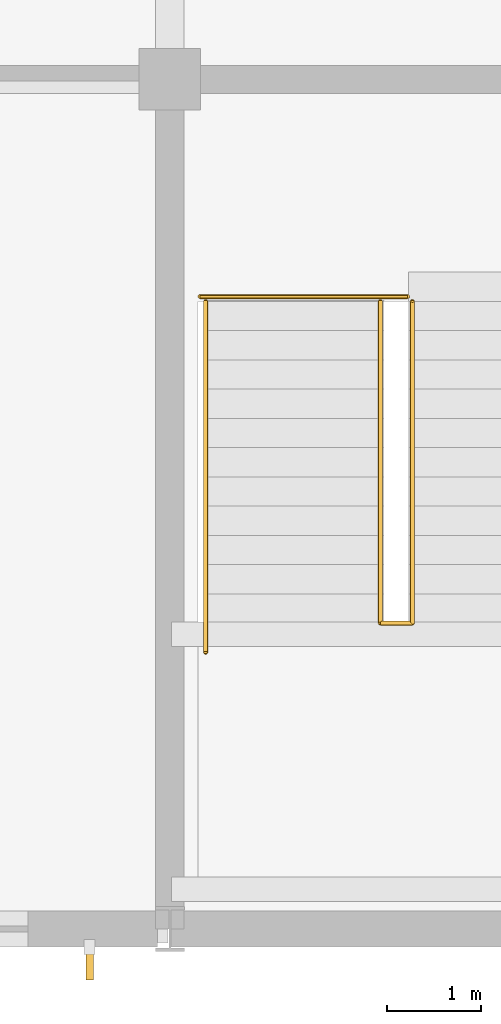
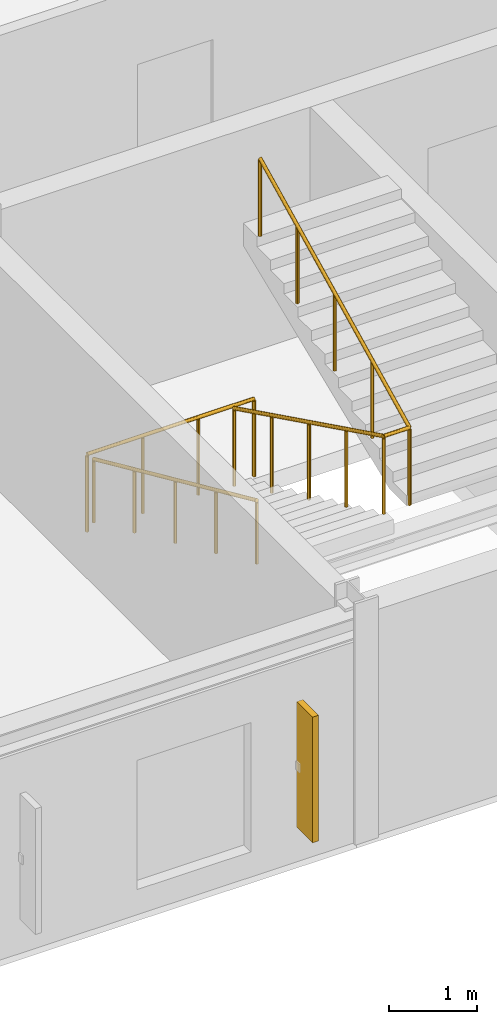
# One storey, part 87 of 91: 3 railings, 1 shading device.
"""IFC4 building model written with IfcOpenShell, lengths in metres."""

import ifcopenshell
import ifcopenshell.guid

model = None  # the IFC model being written
_history = None  # IfcOwnerHistory: only IFC2X3 demands one
_inside = {}  # id of a spatial element -> (the spatial element, [elements in it])
_under = {}  # id of a project, library or spatial element -> (it, [spatial elements below it])
_declared = {}  # id of a project -> (the project, [libraries it declares])
_typed = {}  # id of a type object -> (the type object, [elements of that type])
_made_of = {}  # id of a material, layer set ... -> (it, [elements and type objects made of it])


def new_model(schema):
    """Start an empty IFC model of exactly this schema.

    Asked for "IFC4X3", IfcOpenShell would pick the latest addendum, in which some entities
    have other attributes; the version numbers below select the first issue.
    IFC2X3 requires an IfcOwnerHistory on every rooted entity: one is made here for all.
    """
    global model, _history
    if schema == "IFC4X3":
        model = ifcopenshell.file(schema_version=(4, 3, 0, 0))
    else:
        model = ifcopenshell.file(schema=schema)
    _inside.clear()
    _under.clear()
    _declared.clear()
    _typed.clear()
    _made_of.clear()
    _history = None
    if model.schema == "IFC2X3":
        org = make("IfcOrganization", Name="unknown")
        user = make(
            "IfcPersonAndOrganization",
            ThePerson=make("IfcPerson", FamilyName="unknown"),
            TheOrganization=org,
        )
        app = make(
            "IfcApplication",
            ApplicationDeveloper=org,
            Version="unknown",
            ApplicationFullName="unknown",
            ApplicationIdentifier="unknown",
        )
        _history = make(
            "IfcOwnerHistory",
            OwningUser=user,
            OwningApplication=app,
            ChangeAction="ADDED",
            CreationDate=0,
        )
    return model


def make(cls, **values):
    """One entity of the class cls with the attributes given. An attribute that is None is left unset."""
    return model.create_entity(
        cls, **{name: value for name, value in values.items() if value is not None}
    )


def rooted(cls, **values):
    """An entity with a GlobalId (a new one), such as an element, a storey or a relation."""
    return make(cls, GlobalId=ifcopenshell.guid.new(), OwnerHistory=_history, **values)


def si_unit(unit_type, name, prefix=None):
    """IfcSIUnit, for example si_unit("LENGTHUNIT", "METRE", prefix="MILLI")."""
    return make("IfcSIUnit", UnitType=unit_type, Prefix=prefix, Name=name)


def assignment(units):
    """IfcUnitAssignment: the units of a project."""
    return None if units is None else make("IfcUnitAssignment", Units=units)


def point(xyz):
    """IfcCartesianPoint."""
    return None if xyz is None else make("IfcCartesianPoint", Coordinates=xyz)


def direction(xyz):
    """IfcDirection."""
    return None if xyz is None else make("IfcDirection", DirectionRatios=xyz)


def frame(location, z_axis=None, x_axis=None):
    """IfcAxis2Placement3D, a coordinate frame: its origin and axes. An axis left out is left unset."""
    return make(
        "IfcAxis2Placement3D",
        Location=point(location),
        Axis=direction(z_axis),
        RefDirection=direction(x_axis),
    )


def frame_2d(location, x_axis=None):
    """IfcAxis2Placement2D, a coordinate frame in the plane: its origin and x axis."""
    return make(
        "IfcAxis2Placement2D", Location=point(location), RefDirection=direction(x_axis)
    )


def origin():
    """The frame at (0, 0, 0) with its axes left unset."""
    return frame((0.0, 0.0, 0.0))


def origin_2d():
    """The frame at (0, 0) in the plane with its x axis left unset."""
    return frame_2d((0.0, 0.0))


def place(relative_to, where):
    """IfcLocalPlacement: puts the frame where relative to a parent placement (None: the world)."""
    return make(
        "IfcLocalPlacement", PlacementRelTo=relative_to, RelativePlacement=where
    )


def context(
    kind, dimensions, precision=None, world=None, true_north=None, identifier=None
):
    """IfcGeometricRepresentationContext, for example the 3D "Model" context."""
    return make(
        "IfcGeometricRepresentationContext",
        ContextIdentifier=identifier,
        ContextType=kind,
        CoordinateSpaceDimension=dimensions,
        Precision=precision,
        WorldCoordinateSystem=world,
        TrueNorth=true_north,
    )


def subcontext(parent, identifier, kind, view, scale=None):
    """IfcGeometricRepresentationSubContext, for example "Body" below "Model"."""
    return make(
        "IfcGeometricRepresentationSubContext",
        ContextIdentifier=identifier,
        ContextType=kind,
        ParentContext=parent,
        TargetScale=scale,
        TargetView=view,
    )


def project(units=None, contexts=None):
    """IfcProject with its units and contexts."""
    return rooted(
        "IfcProject",
        Name="project",
        RepresentationContexts=contexts,
        UnitsInContext=assignment(units),
    )


def spatial(cls, under=None, at=None, **own):
    """A site, building, storey or space (cls), placed at a placement, below another one or the project."""
    s = rooted(cls, ObjectPlacement=at, **own)
    if under is not None:
        _under.setdefault(under.id(), (under, []))[1].append(s)
    return s


def profile(cls, at=None, kind="AREA", **sizes):
    """A parametric profile (cls). Its sizes go by their IFC names, for example OverallWidth=200.0."""
    return make(cls, ProfileType=kind, Position=at, **sizes)


def rectangle(**sizes):
    """IfcRectangleProfileDef."""
    return profile("IfcRectangleProfileDef", **sizes)


def circle(**sizes):
    """IfcCircleProfileDef."""
    return profile("IfcCircleProfileDef", **sizes)


def extrude(swept, where, along, depth):
    """IfcExtrudedAreaSolid: the profile swept, set in the frame where, extruded along a direction by depth."""
    return make(
        "IfcExtrudedAreaSolid",
        SweptArea=swept,
        Position=where,
        ExtrudedDirection=direction(along),
        Depth=depth,
    )


def shape(context_of_items, identifier, shape_type, items):
    """IfcShapeRepresentation: the items that make up one representation, for example the "Body"."""
    return make(
        "IfcShapeRepresentation",
        ContextOfItems=context_of_items,
        RepresentationIdentifier=identifier,
        RepresentationType=shape_type,
        Items=items,
    )


def material(Name=None, Category=None):
    """IfcMaterial."""
    return make("IfcMaterial", Name=Name, Category=Category)


def made_of(thing, what):
    """Note that an element or type object is made of a material, layer set ...; save() writes the relation."""
    if what is not None:
        _made_of.setdefault(what.id(), (what, []))[1].append(thing)
    return thing


def type_object(cls, material=None, **own):
    """A type object (cls), such as IfcWallType, which elements share."""
    return made_of(rooted(cls, **own), material)


def element(
    cls,
    number,
    at=None,
    inside=None,
    cuts=None,
    type_object=None,
    material=None,
    context=None,
    identifier="Body",
    shape_type=None,
    held_by="IfcProductDefinitionShape",
    body=None,
    shapes=None,
    **own,
):
    """One element of the class cls, such as IfcWall. Its Tag is "e" and its number.

    at: its placement. inside: the storey or other place that contains it. cuts: it is an
    opening in that element (IfcRelVoidsElement). A single representation is given by context,
    identifier, shape_type and body (its items); several are given by shapes. held_by: the class
    of the entity that holds the representations. save() writes the other relations.
    """
    e = rooted(cls, Tag="e%d" % number, ObjectPlacement=at, **own)
    if body is not None:
        shapes = [shape(context, identifier, shape_type, body)]
    if shapes is not None:
        e.Representation = make(held_by, Representations=shapes)
    if inside is not None:
        _inside.setdefault(inside.id(), (inside, []))[1].append(e)
    if cuts is not None:
        rooted(
            "IfcRelVoidsElement", RelatingBuildingElement=cuts, RelatedOpeningElement=e
        )
    if type_object is not None:
        _typed.setdefault(type_object.id(), (type_object, []))[1].append(e)
    return made_of(e, material)


def aggregate(whole, parts):
    """IfcRelAggregates: a whole, such as a stair, and the parts it consists of."""
    return rooted("IfcRelAggregates", RelatingObject=whole, RelatedObjects=parts)


def save(model, path):
    """Write the relations noted so far, then the file.

    IfcRelAggregates (storeys below a building ...), IfcRelContainedInSpatialStructure (elements
    in a storey), IfcRelDefinesByType, IfcRelAssociatesMaterial and IfcRelDeclares: one each for
    every whole, place, type object, material and project.
    """
    for whole, parts in _under.values():
        aggregate(whole, parts)
    for where, things in _inside.values():
        rooted(
            "IfcRelContainedInSpatialStructure",
            RelatedElements=things,
            RelatingStructure=where,
        )
    for kind, things in _typed.values():
        rooted("IfcRelDefinesByType", RelatedObjects=things, RelatingType=kind)
    for what, things in _made_of.values():
        rooted("IfcRelAssociatesMaterial", RelatedObjects=things, RelatingMaterial=what)
    for by, libraries in _declared.values():
        rooted("IfcRelDeclares", RelatingContext=by, RelatedDefinitions=libraries)
    model.write(path)


model = new_model("IFC4")

# Units and contexts
model_context = context("Model", 3, precision=1e-05, world=origin(), true_north=direction((0.0, 1.0)))
body_context = subcontext(model_context, "Body", "Model", "MODEL_VIEW")
ifc_project = project(units=[si_unit("LENGTHUNIT", "METRE"), si_unit("AREAUNIT", "SQUARE_METRE"), si_unit("VOLUMEUNIT", "CUBIC_METRE"), si_unit("PLANEANGLEUNIT", "RADIAN"), si_unit("MASSUNIT", "GRAM", prefix="KILO")], contexts=[model_context])

# Site, building, storey
site_placement = place(None, origin())
site = spatial("IfcSite", under=ifc_project, at=site_placement, CompositionType="ELEMENT")
building_placement = place(site_placement, origin())
building = spatial("IfcBuilding", under=site, at=building_placement, Name="Palais des Congres Ocreval", CompositionType="ELEMENT")
storey_placement = place(building_placement, frame((0.0, 0.0, 8.159912109375)))
storey = spatial("IfcBuildingStorey", under=building, at=storey_placement, Name="L02", CompositionType="ELEMENT", Elevation=8.159912109375)

# Railings
ifc_material_1 = material(Name="Anodized bronze aluminium", Category="aluminium")
railing_type_1 = type_object("IfcRailingType", Name="Bronze Stair and Ramp Handrail 900", PredefinedType="HANDRAIL", material=ifc_material_1)
railing_1_placement = place(storey_placement, frame((54.3798828125, 6.64990234375, 0.14013671875)))
element("IfcRailing", 1, at=railing_1_placement, inside=storey, type_object=railing_type_1, Name="Stair Wall Handrail ST04 L02", PredefinedType="HANDRAIL", context=body_context, shape_type="SweptSolid", body=[
    extrude(circle(Radius=0.02392578125, at=origin_2d()), frame((0.0, 0.0, 0.8759765625), z_axis=(0.0, -0.911375665887, 0.411575504165), x_axis=(1.0, 0.0, 0.0)), (0.0, 0.0, 1.0), 4.081787109375),
    extrude(circle(Radius=0.02099609375, at=origin_2d()), origin(), (0.0, 0.0, 1.0), 0.851806640625),
    extrude(circle(Radius=0.02099609375, at=origin_2d()), frame((0.0, -0.929931640625, 0.419921875)), (0.0, 0.0, 1.0), 0.851806640625),
    extrude(circle(Radius=0.02099609375, at=origin_2d()), frame((0.0, -1.85986328125, 0.83984375)), (0.0, 0.0, 1.0), 0.851806640625),
    extrude(circle(Radius=0.02099609375, at=origin_2d()), frame((0.0, -2.7900390625, 1.260009765625)), (0.0, 0.0, 1.0), 0.851806640625),
    extrude(circle(Radius=0.02099609375, at=origin_2d()), frame((0.0, -3.719970703125, 1.679931640625)), (0.0, 0.0, 1.0), 0.851806640625),
])
ifc_material_2 = material(Name="Steel S355", Category="steel")
railing_type_2 = type_object("IfcRailingType", Name="Stairwell Steel Guardrail 1100", PredefinedType="GUARDRAIL", material=ifc_material_2)
railing_2_placement = place(storey_placement, frame((54.320068359375, 6.699951171875, 0.0)))
element("IfcRailing", 2, at=railing_2_placement, inside=storey, type_object=railing_type_2, Name="Stairwell Landing Edge Guard ST04 L02", PredefinedType="GUARDRAIL", context=body_context, shape_type="SweptSolid", body=[
    extrude(circle(Radius=0.02392578125, at=origin_2d()), frame((0.0, 0.0, 1.076171875), z_axis=(1.0, 0.0, 0.0), x_axis=(0.0, 1.0, 0.0)), (0.0, 0.0, 1.0), 2.199951171875),
    extrude(circle(Radius=0.02099609375, at=origin_2d()), origin(), (0.0, 0.0, 1.0), 1.052001953125),
    extrude(circle(Radius=0.02099609375, at=origin_2d()), frame((0.7333984375, 0.0, 0.0)), (0.0, 0.0, 1.0), 1.052001953125),
    extrude(circle(Radius=0.02099609375, at=origin_2d()), frame((1.466552734375, 0.0, 0.0)), (0.0, 0.0, 1.0), 1.052001953125),
    extrude(circle(Radius=0.02099609375, at=origin_2d()), frame((2.199951171875, 0.0, 0.0)), (0.0, 0.0, 1.0), 1.052001953125),
])
railing_3_placement = place(storey_placement, frame((56.22998046875, 6.64990234375, 0.0)))
element("IfcRailing", 3, at=railing_3_placement, inside=storey, type_object=railing_type_2, Name="Stair Inner Guardrail ST04 L02", PredefinedType="GUARDRAIL", context=body_context, shape_type="SweptSolid", body=[
    extrude(circle(Radius=0.02392578125, at=origin_2d()), frame((0.0, 0.0, 1.076171875), z_axis=(0.0, -0.897019490465, 0.441990988285), x_axis=(1.0, 0.0, 0.0)), (0.0, 0.0, 1.0), 3.80126953125),
    extrude(circle(Radius=0.02392578125, at=origin_2d()), frame((0.0, -3.409912109375, 2.75634765625), z_axis=(1.0, 0.0, 0.0), x_axis=(0.0, 1.0, 0.0)), (0.0, 0.0, 1.0), 0.340087890625),
    extrude(circle(Radius=0.02392578125, at=origin_2d()), frame((0.340087890625, -3.409912109375, 2.75634765625), z_axis=(0.0, 0.897044952961, 0.441939308465), x_axis=(-1.0, 0.0, 0.0)), (0.0, 0.0, 1.0), 3.80126953125),
    extrude(circle(Radius=0.02099609375, at=origin_2d()), origin(), (0.0, 0.0, 1.0), 1.052001953125),
    extrude(circle(Radius=0.02099609375, at=origin_2d()), frame((0.0, -0.8525390625, 0.419921875)), (0.0, 0.0, 1.0), 1.052001953125),
    extrude(circle(Radius=0.02099609375, at=origin_2d()), frame((0.0, -1.705078125, 0.840087890625)), (0.0, 0.0, 1.0), 1.052001953125),
    extrude(circle(Radius=0.02099609375, at=origin_2d()), frame((0.0, -2.557373046875, 1.26025390625)), (0.0, 0.0, 1.0), 1.052001953125),
    extrude(circle(Radius=0.02099609375, at=origin_2d()), frame((0.0, -3.409912109375, 1.68017578125)), (0.0, 0.0, 1.0), 1.052001953125),
    extrude(circle(Radius=0.02099609375, at=origin_2d()), frame((0.340087890625, -3.409912109375, 1.68017578125)), (0.0, 0.0, 1.0), 1.052001953125),
    extrude(circle(Radius=0.02099609375, at=origin_2d()), frame((0.340087890625, -2.557373046875, 2.10009765625)), (0.0, 0.0, 1.0), 1.052001953125),
    extrude(circle(Radius=0.02099609375, at=origin_2d()), frame((0.340087890625, -1.705078125, 2.52001953125)), (0.0, 0.0, 1.0), 1.052001953125),
    extrude(circle(Radius=0.02099609375, at=origin_2d()), frame((0.340087890625, -0.8525390625, 2.940185546875)), (0.0, 0.0, 1.0), 1.052001953125),
    extrude(circle(Radius=0.02099609375, at=origin_2d()), frame((0.340087890625, 0.0, 3.360107421875)), (0.0, 0.0, 1.0), 1.052001953125),
])

# Shading device
ifc_material_3 = material(Name="Terracotta ceramic", Category="masonry")
shading_device_type = type_object("IfcShadingDeviceType", Name="Terracotta Ceramic Brise-Soleil Fin 360", PredefinedType="JALOUSIE", material=ifc_material_3)
shading_device_placement = place(storey_placement, frame((53.14990234375, -0.360107421875, 0.47509765625), z_axis=(0.0, 0.0, 1.0), x_axis=(0.0, -1.0, 0.0)))
element("IfcShadingDevice", 4, at=shading_device_placement, inside=storey, type_object=shading_device_type, Name="Ceramic Celosia Sun-Fin SD01", PredefinedType="JALOUSIE", context=body_context, shape_type="SweptSolid", body=[
    extrude(rectangle(XDim=0.360107421875, YDim=0.080078125, at=origin_2d()), origin(), (0.0, 0.0, 1.0), 1.75),
])

save(model, "model.ifc")
